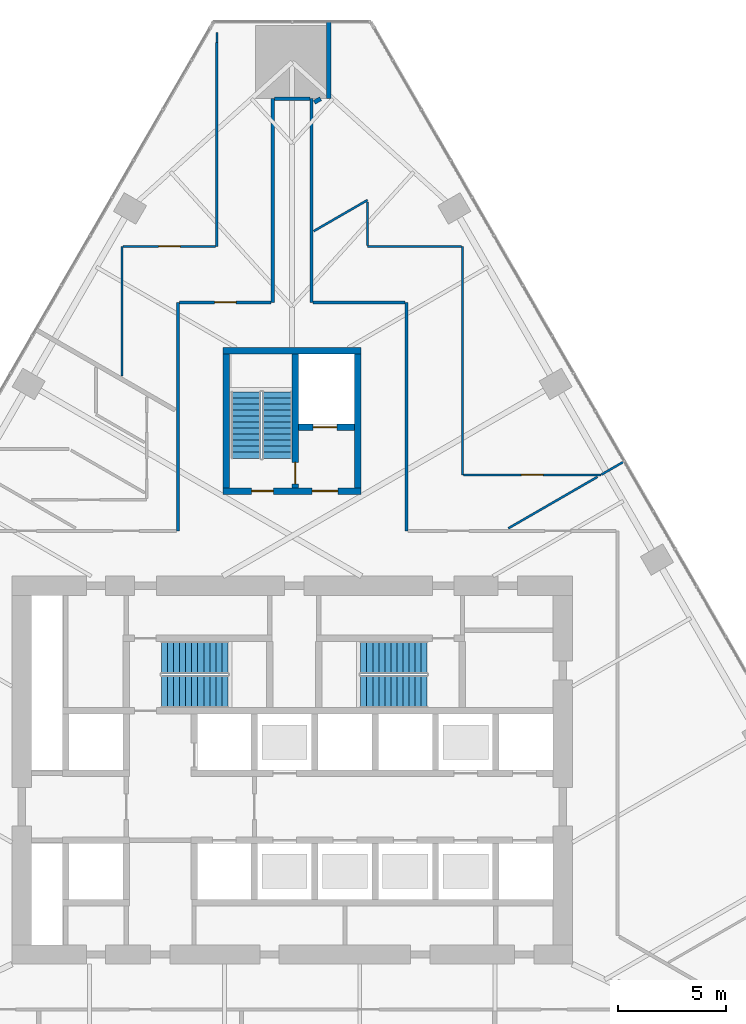
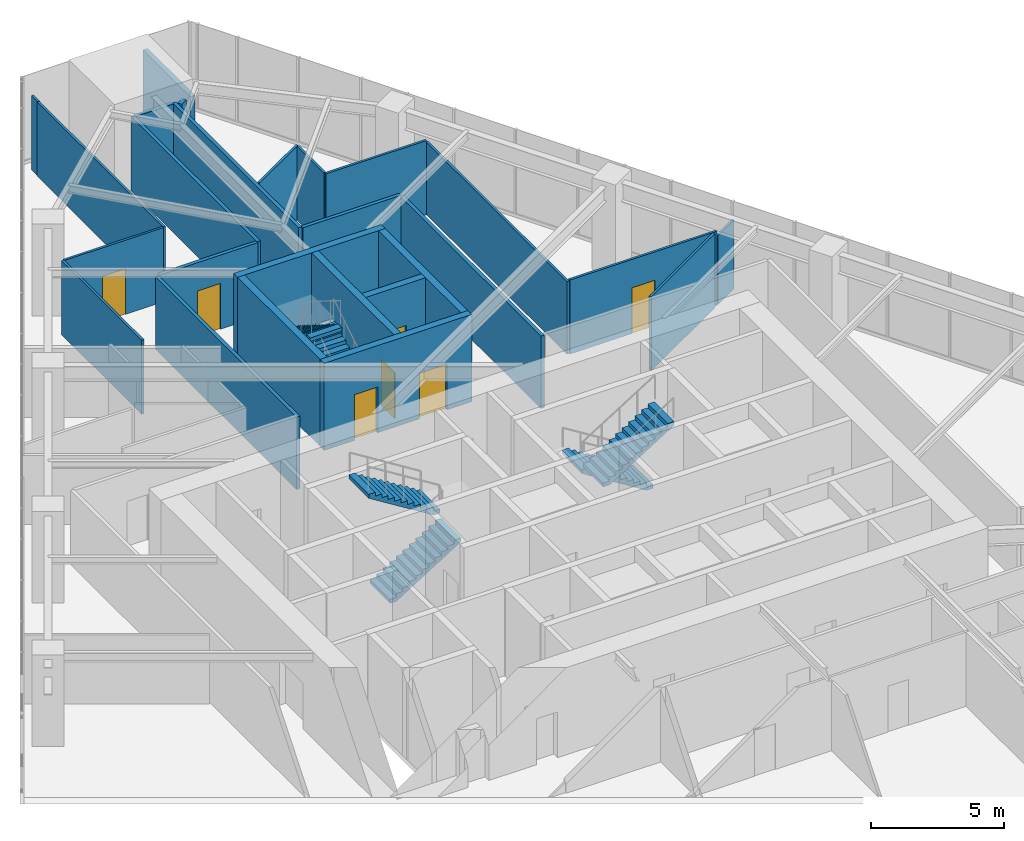
# One storey, part 19 of 21: 26 walls, 7 doors, 6 stair flights, 7 openings, 3 elements without a shape of their own.
"""IFC4 building model written with IfcOpenShell, lengths in metres."""

from ifc_helpers import new_model, si_unit, direction, frame, frame_2d, origin, place, context, subcontext, project, spatial, polyline, rectangle, outline, extrude, material, layer, layer_set, type_object, element, fill, aggregate, save


model = new_model("IFC4")

# Units and contexts
model_context = context("Model", 3, precision=1e-05, world=origin(), true_north=direction((0.0, 1.0)))
body_context = subcontext(model_context, "Body", "Model", "MODEL_VIEW")
ifc_project = project(units=[si_unit("LENGTHUNIT", "METRE"), si_unit("AREAUNIT", "SQUARE_METRE"), si_unit("VOLUMEUNIT", "CUBIC_METRE"), si_unit("PLANEANGLEUNIT", "RADIAN"), si_unit("MASSUNIT", "GRAM", prefix="KILO")], contexts=[model_context])

# Site, building, storey
site_placement = place(None, origin())
site = spatial("IfcSite", under=ifc_project, at=site_placement, CompositionType="ELEMENT")
building_placement = place(site_placement, origin())
building = spatial("IfcBuilding", under=site, at=building_placement, Name="Firuza Gate Tower and Library", CompositionType="ELEMENT")
storey_placement = place(building_placement, frame((0.0, 0.0, 98.800048828125)))
storey = spatial("IfcBuildingStorey", under=building, at=storey_placement, Name="L22", CompositionType="ELEMENT", Elevation=98.800048828125)

# Wall, openings, doors
ifc_material_1 = material(Name="Concrete C80/95", Category="concrete")
ifc_layer_1 = layer(ifc_material_1, 0.300048828125)
ifc_layer_set_1 = layer_set([ifc_layer_1], Name="Core wall 300 C80/95")
wall_type_1 = type_object("IfcWallType", Name="Core wall 300 C80/95", PredefinedType="SHEAR", material=ifc_layer_set_1)
wall_1_placement = place(storey_placement, frame((71.800048828125, 87.949951171875, 0.0), z_axis=(0.0, 0.0, 1.0), x_axis=(1.0, 0.0, 0.0)))
wall_1 = element("IfcWall", 1, at=wall_1_placement, inside=storey, type_object=wall_type_1, Name="Core wall L22 34", PredefinedType="SHEAR", context=body_context, shape_type="SweptSolid", body=[
    extrude(rectangle(XDim=6.39990234375, YDim=0.300048828125, at=frame_2d((3.199951171875, 0.0))), origin(), (0.0, 0.0, 1.0), 4.0),
])
opening_1_placement = place(wall_1_placement, frame((1.324951171875, 0.0, 0.0)))
opening_1 = element("IfcOpeningElement", 2, at=opening_1_placement, cuts=wall_1, Name="Opening L22-K17", PredefinedType="OPENING", context=body_context, shape_type="SweptSolid", body=[
    extrude(rectangle(XDim=1.0, YDim=2.10009765625, at=frame_2d((0.5, 1.050048828125))), frame((0.0, 0.16015625, 0.0), z_axis=(0.0, -1.0, 0.0), x_axis=(1.0, 0.0, 0.0)), (0.0, 0.0, 1.0), 0.320068359375),
])
opening_2_placement = place(wall_1_placement, frame((4.125, 0.0, 0.0)))
opening_2 = element("IfcOpeningElement", 3, at=opening_2_placement, cuts=wall_1, Name="Opening L22-K19", PredefinedType="OPENING", context=body_context, shape_type="SweptSolid", body=[
    extrude(rectangle(XDim=1.199951171875, YDim=2.10009765625, at=frame_2d((0.60009765625, 1.050048828125))), frame((0.0, 0.16015625, 0.0), z_axis=(0.0, -1.0, 0.0), x_axis=(1.0, 0.0, 0.0)), (0.0, 0.0, 1.0), 0.320068359375),
])
ifc_material_2 = material(Name="Steel", Category="steel")
door_type_1 = type_object("IfcDoorType", Name="Fire door 1000x2100 FD90", OperationType="NOTDEFINED", PredefinedType="DOOR", material=ifc_material_2)
door_1_placement = place(opening_1_placement, origin())
door_1 = element("IfcDoor", 4, at=door_1_placement, inside=storey, type_object=door_type_1, Name="Door L22-K17", OperationType="SINGLE_SWING_RIGHT", OverallHeight=2.10009765625, OverallWidth=1.0, PredefinedType="DOOR", context=body_context, shape_type="SweptSolid", body=[
    extrude(rectangle(XDim=1.0, YDim=2.10009765625, at=frame_2d((0.5, 1.050048828125))), frame((0.0, 0.02490234375, 0.0), z_axis=(0.0, -1.0, 0.0), x_axis=(1.0, 0.0, 0.0)), (0.0, 0.0, 1.0), 0.050048828125),
])
fill(opening_1, door_1)
ifc_material_3 = material(Name="Steel", Category="steel")
door_type_2 = type_object("IfcDoorType", Name="Fire door 1200x2100 FD30S", OperationType="NOTDEFINED", PredefinedType="DOOR", material=ifc_material_3)
door_2_placement = place(opening_2_placement, origin())
door_2 = element("IfcDoor", 5, at=door_2_placement, inside=storey, type_object=door_type_2, Name="Door L22-K19", OperationType="SINGLE_SWING_RIGHT", OverallHeight=2.10009765625, OverallWidth=1.199951171875, PredefinedType="DOOR", context=body_context, shape_type="SweptSolid", body=[
    extrude(rectangle(XDim=1.199951171875, YDim=2.10009765625, at=frame_2d((0.60009765625, 1.050048828125))), frame((0.0, 0.02490234375, 0.0), z_axis=(0.0, -1.0, 0.0), x_axis=(1.0, 0.0, 0.0)), (0.0, 0.0, 1.0), 0.050048828125),
])
fill(opening_2, door_2)

# Walls
wall_2_placement = place(storey_placement, frame((71.800048828125, 94.449951171875, 0.0), z_axis=(0.0, 0.0, 1.0), x_axis=(1.0, 0.0, 0.0)))
element("IfcWall", 6, at=wall_2_placement, inside=storey, type_object=wall_type_1, Name="Core wall L22 35", PredefinedType="SHEAR", context=body_context, shape_type="SweptSolid", body=[
    extrude(rectangle(XDim=6.39990234375, YDim=0.300048828125, at=frame_2d((3.199951171875, 0.0))), origin(), (0.0, 0.0, 1.0), 4.0),
])
for number, where, z_axis, x_axis, name in (
    (7, (71.949951171875, 88.10009765625, 0.0), (0.0, 0.0, 1.0), (0.0, 1.0, 0.0), "Core wall L22 36"),
    (8, (78.050048828125, 88.10009765625, 0.0), (0.0, 0.0, 1.0), (0.0, 1.0, 0.0), "Core wall L22 37"),
):
    element("IfcWall", number, at=place(storey_placement, frame(where, z_axis=z_axis, x_axis=x_axis)), inside=storey, type_object=wall_type_1, Name=name, PredefinedType="SHEAR", context=body_context, shape_type="SweptSolid", body=[
        extrude(rectangle(XDim=6.199951171875, YDim=0.300048828125, at=frame_2d((3.10009765625, 0.0))), origin(), (0.0, 0.0, 1.0), 4.0),
    ])

# Wall, opening, door
wall_3_placement = place(storey_placement, frame((75.300048828125, 90.89990234375, 0.0), z_axis=(0.0, 0.0, 1.0), x_axis=(1.0, 0.0, 0.0)))
wall_3 = element("IfcWall", 9, at=wall_3_placement, inside=storey, type_object=wall_type_1, Name="Core wall L22 38", PredefinedType="SHEAR", context=body_context, shape_type="SweptSolid", body=[
    extrude(rectangle(XDim=2.599853515625, YDim=0.300048828125, at=frame_2d((1.2998046875, 0.0))), origin(), (0.0, 0.0, 1.0), 4.0),
])
opening_3_placement = place(wall_3_placement, frame((0.675048828125, 0.0, 0.0)))
opening_3 = element("IfcOpeningElement", 10, at=opening_3_placement, cuts=wall_3, Name="Opening LD-SV1-L22", PredefinedType="OPENING", context=body_context, shape_type="SweptSolid", body=[
    extrude(rectangle(XDim=1.10009765625, YDim=2.10009765625, at=frame_2d((0.550048828125, 1.050048828125))), frame((0.0, 0.16015625, 0.0), z_axis=(0.0, -1.0, 0.0), x_axis=(1.0, 0.0, 0.0)), (0.0, 0.0, 1.0), 0.320068359375),
])
ifc_material_4 = material(Name="Stainless steel", Category="steel")
door_type_3 = type_object("IfcDoorType", Name="Lift landing door 1100x2100", OperationType="DOUBLE_DOOR_SLIDING", PredefinedType="DOOR", material=ifc_material_4)
door_3_placement = place(opening_3_placement, origin())
door_3 = element("IfcDoor", 11, at=door_3_placement, inside=storey, type_object=door_type_3, Name="Landing door SV1 L22", OperationType="DOUBLE_DOOR_SLIDING", OverallHeight=2.10009765625, OverallWidth=1.10009765625, PredefinedType="DOOR", context=body_context, shape_type="SweptSolid", body=[
    extrude(rectangle(XDim=1.10009765625, YDim=2.10009765625, at=frame_2d((0.550048828125, 1.050048828125))), frame((0.0, 0.02490234375, 0.0), z_axis=(0.0, -1.0, 0.0), x_axis=(1.0, 0.0, 0.0)), (0.0, 0.0, 1.0), 0.050048828125),
])
fill(opening_3, door_3)

wall_4_placement = place(storey_placement, frame((75.14990234375, 88.10009765625, 0.0), z_axis=(0.0, 0.0, 1.0), x_axis=(0.0, 1.0, 0.0)))
wall_4 = element("IfcWall", 12, at=wall_4_placement, inside=storey, type_object=wall_type_1, Name="Core wall L22 39", PredefinedType="SHEAR", context=body_context, shape_type="SweptSolid", body=[
    extrude(rectangle(XDim=6.199951171875, YDim=0.300048828125, at=frame_2d((3.10009765625, 0.0))), origin(), (0.0, 0.0, 1.0), 4.0),
])
opening_4_placement = place(wall_4_placement, frame((0.18505859375, 0.0, 0.0)))
opening_4 = element("IfcOpeningElement", 13, at=opening_4_placement, cuts=wall_4, Name="Opening L22-K18", PredefinedType="OPENING", context=body_context, shape_type="SweptSolid", body=[
    extrude(rectangle(XDim=1.0, YDim=2.10009765625, at=frame_2d((0.5, 1.050048828125))), frame((0.0, 0.16015625, 0.0), z_axis=(0.0, -1.0, 0.0), x_axis=(1.0, 0.0, 0.0)), (0.0, 0.0, 1.0), 0.320068359375),
])
door_4_placement = place(opening_4_placement, origin())
door_4 = element("IfcDoor", 14, at=door_4_placement, inside=storey, type_object=door_type_1, Name="Door L22-K18", OperationType="SINGLE_SWING_LEFT", OverallHeight=2.10009765625, OverallWidth=1.0, PredefinedType="DOOR", context=body_context, shape_type="SweptSolid", body=[
    extrude(rectangle(XDim=1.0, YDim=2.10009765625, at=frame_2d((0.5, 1.050048828125))), frame((0.0, 0.02490234375, 0.0), z_axis=(0.0, -1.0, 0.0), x_axis=(1.0, 0.0, 0.0)), (0.0, 0.0, 1.0), 0.050048828125),
])
fill(opening_4, door_4)

ifc_material_5 = material(Name="Gypsum board partition")
ifc_layer_2 = layer(ifc_material_5, 0.14990234375)
ifc_layer_set_2 = layer_set([ifc_layer_2], Name="Corridor wall 150 double board on steel studs")
wall_type_2 = type_object("IfcWallType", Name="Corridor wall 150 double board on steel studs", PredefinedType="PARTITIONING", material=ifc_layer_set_2)
wall_5_placement = place(storey_placement, frame((69.775390625, 96.699951171875, 0.0), z_axis=(0.0, 0.0, 1.0), x_axis=(1.0, 0.0, 0.0)))
wall_5 = element("IfcWall", 15, at=wall_5_placement, inside=storey, type_object=wall_type_2, Name="f:L22:w010", PredefinedType="PARTITIONING", context=body_context, shape_type="SweptSolid", body=[
    extrude(rectangle(XDim=4.24951171875, YDim=0.14990234375, at=frame_2d((2.124755859375, 0.0))), origin(), (0.0, 0.0, 1.0), 3.39990234375),
])
opening_5_placement = place(wall_5_placement, frame((1.624755859375, 0.0, 0.0)))
opening_5 = element("IfcOpeningElement", 16, at=opening_5_placement, cuts=wall_5, Name="Opening L22-18", PredefinedType="OPENING", context=body_context, shape_type="SweptSolid", body=[
    extrude(rectangle(XDim=1.0, YDim=2.10009765625, at=frame_2d((0.5, 1.050048828125))), frame((0.0, 0.0849609375, 0.0), z_axis=(0.0, -1.0, 0.0), x_axis=(1.0, 0.0, 0.0)), (0.0, 0.0, 1.0), 0.169921875),
])
ifc_material_6 = material(Name="Steel door and timber leaf", Category="steel")
door_type_4 = type_object("IfcDoorType", Name="Fire door 1000 x 2100 steel frame, timber leaf", OperationType="NOTDEFINED", PredefinedType="DOOR", material=ifc_material_6)
door_5_placement = place(opening_5_placement, origin())
door_5 = element("IfcDoor", 17, at=door_5_placement, inside=storey, type_object=door_type_4, Name="f:L22:d018", OperationType="SINGLE_SWING_RIGHT", OverallHeight=2.10009765625, OverallWidth=1.0, PredefinedType="DOOR", context=body_context, shape_type="SweptSolid", body=[
    extrude(rectangle(XDim=1.0, YDim=2.10009765625, at=frame_2d((0.5, 1.050048828125))), frame((0.0, 0.02490234375, 0.0), z_axis=(0.0, -1.0, 0.0), x_axis=(1.0, 0.0, 0.0)), (0.0, 0.0, 1.0), 0.050048828125),
])
fill(opening_5, door_5)

# Walls
wall_6_placement = place(storey_placement, frame((75.97509765625, 96.699951171875, 0.0), z_axis=(0.0, 0.0, 1.0), x_axis=(1.0, 0.0, 0.0)))
element("IfcWall", 18, at=wall_6_placement, inside=storey, type_object=wall_type_2, Name="f:L22:w011", PredefinedType="PARTITIONING", context=body_context, shape_type="SweptSolid", body=[
    extrude(rectangle(XDim=4.25, YDim=0.14990234375, at=frame_2d((2.125, 0.0))), origin(), (0.0, 0.0, 1.0), 3.39990234375),
])
wall_7_placement = place(storey_placement, frame((74.175537109375, 106.153076171875, 0.0), z_axis=(0.0, 0.0, 1.0), x_axis=(1.0, 0.0, 0.0)))
element("IfcWall", 19, at=wall_7_placement, inside=storey, type_object=wall_type_2, Name="f:L22:w014", PredefinedType="PARTITIONING", context=body_context, shape_type="SweptSolid", body=[
    extrude(rectangle(XDim=1.64892578125, YDim=0.14990234375, at=frame_2d((0.824462890625, 0.0))), origin(), (0.0, 0.0, 1.0), 3.39697265625),
])
wall_8_placement = place(storey_placement, frame((80.300048828125, 86.10009765625, 0.0), z_axis=(0.0, 0.0, 1.0), x_axis=(0.0, 1.0, 0.0)))
element("IfcWall", 20, at=wall_8_placement, inside=storey, type_object=wall_type_2, Name="f:L22:w033", PredefinedType="PARTITIONING", context=body_context, shape_type="SweptSolid", body=[
    extrude(rectangle(XDim=10.599853515625, YDim=0.14990234375, at=frame_2d((5.2998046875, 0.0))), origin(), (0.0, 0.0, 1.0), 3.322021484375),
])
for number, where, z_axis, x_axis, name in (
    (21, (75.89990234375, 96.699951171875, 0.0), (0.0, 0.0, 1.0), (0.0, 1.0, 0.0), "f:L22:w037"),
    (22, (74.10009765625, 96.699951171875, 0.0), (0.0, 0.0, 1.0), (0.0, 1.0, 0.0), "f:L22:w038"),
):
    element("IfcWall", number, at=place(storey_placement, frame(where, z_axis=z_axis, x_axis=x_axis)), inside=storey, type_object=wall_type_2, Name=name, PredefinedType="PARTITIONING", context=body_context, shape_type="SweptSolid", body=[
        extrude(rectangle(XDim=9.4521484375, YDim=0.14990234375, at=frame_2d((4.72607421875, 0.0))), origin(), (0.0, 0.0, 1.0), 3.39990234375),
    ])
wall_9_placement = place(storey_placement, frame((69.699951171875, 86.10009765625, 0.0), z_axis=(0.0, 0.0, 1.0), x_axis=(0.0, 1.0, 0.0)))
element("IfcWall", 23, at=wall_9_placement, inside=storey, type_object=wall_type_2, Name="f:L22:w042", PredefinedType="PARTITIONING", context=body_context, shape_type="SweptSolid", body=[
    extrude(rectangle(XDim=10.599365234375, YDim=0.14990234375, at=frame_2d((5.2998046875, 0.0))), origin(), (0.0, 0.0, 1.0), 3.322021484375),
])
ifc_material_7 = material(Name="Gypsum board partition")
ifc_layer_3 = layer(ifc_material_7, 0.199951171875)
ifc_layer_set_3 = layer_set([ifc_layer_3], Name="Demising wall 200 acoustic double stud")
wall_type_3 = type_object("IfcWallType", Name="Demising wall 200 acoustic double stud", PredefinedType="PARTITIONING", material=ifc_layer_set_3)
wall_10_placement = place(storey_placement, frame((76.02783203125, 105.984130859375, 0.0), z_axis=(0.0, 0.0, 1.0), x_axis=(0.866137275136, 0.499806183056, 0.0)))
element("IfcWall", 24, at=wall_10_placement, inside=storey, type_object=wall_type_3, Name="f:L22:w023", PredefinedType="PARTITIONING", context=body_context, shape_type="SweptSolid", body=[
    extrude(rectangle(XDim=0.336669921875, YDim=0.199951171875, at=frame_2d((0.16845703125, 0.0))), origin(), (0.0, 0.0, 1.0), 3.39990234375),
])
wall_11_placement = place(storey_placement, frame((76.699951171875, 106.1533203125, 0.0), z_axis=(0.0, 0.0, 1.0), x_axis=(0.0, 1.0, 0.0)))
element("IfcWall", 25, at=wall_11_placement, inside=storey, type_object=wall_type_3, Name="f:L22:w036", PredefinedType="PARTITIONING", context=body_context, shape_type="SweptSolid", body=[
    extrude(rectangle(XDim=3.559326171875, YDim=0.199951171875, at=frame_2d((1.77978515625, 0.0))), origin(), (0.0, 0.0, 1.0), 3.39990234375),
])

# Wall, opening, door
ifc_material_8 = material(Name="Gypsum board partition")
ifc_layer_4 = layer(ifc_material_8, 0.10009765625)
ifc_layer_set_4 = layer_set([ifc_layer_4], Name="Partition 100 gypsum board on steel studs")
wall_type_4 = type_object("IfcWallType", Name="Partition 100 gypsum board on steel studs", PredefinedType="PARTITIONING", material=ifc_layer_set_4)
wall_12_placement = place(storey_placement, frame((82.949951171875, 88.699951171875, 0.0), z_axis=(0.0, 0.0, 1.0), x_axis=(1.0, 0.0, 0.0)))
wall_12 = element("IfcWall", 26, at=wall_12_placement, inside=storey, type_object=wall_type_4, Name="f:L22:w008", PredefinedType="PARTITIONING", context=body_context, shape_type="SweptSolid", body=[
    extrude(rectangle(XDim=6.375732421875, YDim=0.10009765625, at=frame_2d((3.18798828125, 0.0))), origin(), (0.0, 0.0, 1.0), 3.39990234375),
])
opening_6_placement = place(wall_12_placement, frame((2.687744140625, 0.0, 0.0)))
opening_6 = element("IfcOpeningElement", 27, at=opening_6_placement, cuts=wall_12, Name="Opening L22-17", PredefinedType="OPENING", context=body_context, shape_type="SweptSolid", body=[
    extrude(rectangle(XDim=1.0, YDim=2.10009765625, at=frame_2d((0.5, 1.050048828125))), frame((0.0, 0.06005859375, 0.0), z_axis=(0.0, -1.0, 0.0), x_axis=(1.0, 0.0, 0.0)), (0.0, 0.0, 1.0), 0.1201171875),
])
ifc_material_9 = material(Name="Timber door", Category="wood")
door_type_5 = type_object("IfcDoorType", Name="Door 1000 x 2100 timber leaf", OperationType="NOTDEFINED", PredefinedType="DOOR", material=ifc_material_9)
door_6_placement = place(opening_6_placement, origin())
door_6 = element("IfcDoor", 28, at=door_6_placement, inside=storey, type_object=door_type_5, Name="f:L22:d017", OperationType="SINGLE_SWING_LEFT", OverallHeight=2.10009765625, OverallWidth=1.0, PredefinedType="DOOR", context=body_context, shape_type="SweptSolid", body=[
    extrude(rectangle(XDim=1.0, YDim=2.10009765625, at=frame_2d((0.5, 1.050048828125))), frame((0.0, 0.02490234375, 0.0), z_axis=(0.0, -1.0, 0.0), x_axis=(1.0, 0.0, 0.0)), (0.0, 0.0, 1.0), 0.050048828125),
])
fill(opening_6, door_6)

wall_13_placement = place(storey_placement, frame((67.14990234375, 99.300048828125, 0.0), z_axis=(0.0, 0.0, 1.0), x_axis=(1.0, 0.0, 0.0)))
wall_13 = element("IfcWall", 29, at=wall_13_placement, inside=storey, type_object=wall_type_4, Name="f:L22:w012", PredefinedType="PARTITIONING", context=body_context, shape_type="SweptSolid", body=[
    extrude(rectangle(XDim=4.299560546875, YDim=0.10009765625, at=frame_2d((2.14990234375, 0.0))), origin(), (0.0, 0.0, 1.0), 3.39990234375),
])
opening_7_placement = place(wall_13_placement, frame((1.649658203125, 0.0, 0.0)))
opening_7 = element("IfcOpeningElement", 30, at=opening_7_placement, cuts=wall_13, Name="Opening L22-19", PredefinedType="OPENING", context=body_context, shape_type="SweptSolid", body=[
    extrude(rectangle(XDim=1.0, YDim=2.10009765625, at=frame_2d((0.5, 1.050048828125))), frame((0.0, 0.06005859375, 0.0), z_axis=(0.0, -1.0, 0.0), x_axis=(1.0, 0.0, 0.0)), (0.0, 0.0, 1.0), 0.1201171875),
])
door_7_placement = place(opening_7_placement, origin())
door_7 = element("IfcDoor", 31, at=door_7_placement, inside=storey, type_object=door_type_5, Name="f:L22:d019", OperationType="SINGLE_SWING_LEFT", OverallHeight=2.10009765625, OverallWidth=1.0, PredefinedType="DOOR", context=body_context, shape_type="SweptSolid", body=[
    extrude(rectangle(XDim=1.0, YDim=2.10009765625, at=frame_2d((0.5, 1.050048828125))), frame((0.0, 0.02490234375, 0.0), z_axis=(0.0, -1.0, 0.0), x_axis=(1.0, 0.0, 0.0)), (0.0, 0.0, 1.0), 0.050048828125),
])
fill(opening_7, door_7)

# Walls
wall_14_placement = place(storey_placement, frame((78.5, 99.300048828125, 0.0), z_axis=(0.0, 0.0, 1.0), x_axis=(1.0, 0.0, 0.0)))
element("IfcWall", 32, at=wall_14_placement, inside=storey, type_object=wall_type_4, Name="f:L22:w013", PredefinedType="PARTITIONING", context=body_context, shape_type="SweptSolid", body=[
    extrude(rectangle(XDim=4.35009765625, YDim=0.10009765625, at=frame_2d((2.175048828125, 0.0))), origin(), (0.0, 0.0, 1.0), 3.39990234375),
])
wall_15_placement = place(storey_placement, frame((85.030029296875, 86.22021484375, 0.0), z_axis=(0.0, 0.0, 1.0), x_axis=(0.86602800421, 0.499995495904, 0.0)))
element("IfcWall", 33, at=wall_15_placement, inside=storey, type_object=wall_type_4, Name="f:L22:w021", PredefinedType="PARTITIONING", context=body_context, shape_type="SweptSolid", body=[
    extrude(rectangle(XDim=4.77294921875, YDim=0.10009765625, at=frame_2d((2.386474609375, 0.0))), origin(), (0.0, 0.0, 1.0), 3.39990234375),
])
wall_16_placement = place(storey_placement, frame((76.001220703125, 100.008056640625, 0.0), z_axis=(0.0, 0.0, 1.0), x_axis=(0.866016514357, 0.500015396624, 0.0)))
element("IfcWall", 34, at=wall_16_placement, inside=storey, type_object=wall_type_4, Name="f:L22:w022", PredefinedType="PARTITIONING", context=body_context, shape_type="SweptSolid", body=[
    extrude(rectangle(XDim=2.8857421875, YDim=0.10009765625, at=frame_2d((1.44287109375, 0.0))), origin(), (0.0, 0.0, 1.0), 3.39990234375),
])
wall_17_placement = place(storey_placement, frame((82.89990234375, 88.699951171875, 0.0), z_axis=(0.0, 0.0, 1.0), x_axis=(0.0, 1.0, 0.0)))
element("IfcWall", 35, at=wall_17_placement, inside=storey, type_object=wall_type_4, Name="f:L22:w032", PredefinedType="PARTITIONING", context=body_context, shape_type="SweptSolid", body=[
    extrude(rectangle(XDim=10.60009765625, YDim=0.10009765625, at=frame_2d((5.300048828125, 0.0))), origin(), (0.0, 0.0, 1.0), 3.322021484375),
])
wall_18_placement = place(storey_placement, frame((78.5, 99.35009765625, 0.0), z_axis=(0.0, 0.0, 1.0), x_axis=(0.0, 1.0, 0.0)))
element("IfcWall", 36, at=wall_18_placement, inside=storey, type_object=wall_type_4, Name="f:L22:w035", PredefinedType="PARTITIONING", context=body_context, shape_type="SweptSolid", body=[
    extrude(rectangle(XDim=2.013671875, YDim=0.10009765625, at=frame_2d((1.0068359375, 0.0))), origin(), (0.0, 0.0, 1.0), 3.39990234375),
])
wall_19_placement = place(storey_placement, frame((71.51904296875, 108.753173828125, 0.0), z_axis=(0.0, 0.0, 1.0), x_axis=(0.0, 1.0, 0.0)))
element("IfcWall", 37, at=wall_19_placement, inside=storey, type_object=wall_type_4, Name="f:L22:w040", PredefinedType="PARTITIONING", context=body_context, shape_type="SweptSolid", body=[
    extrude(rectangle(XDim=0.47265625, YDim=0.10009765625, at=frame_2d((0.236328125, 0.0))), origin(), (0.0, 0.0, 1.0), 3.39990234375),
])
wall_20_placement = place(storey_placement, frame((71.5, 99.300537109375, 0.0), z_axis=(0.0, 0.0, 1.0), x_axis=(0.0, 1.0, 0.0)))
element("IfcWall", 38, at=wall_20_placement, inside=storey, type_object=wall_type_4, Name="f:L22:w041", PredefinedType="PARTITIONING", context=body_context, shape_type="SweptSolid", body=[
    extrude(rectangle(XDim=9.4521484375, YDim=0.10009765625, at=frame_2d((4.72607421875, 0.0))), origin(), (0.0, 0.0, 1.0), 3.39990234375),
])
wall_21_placement = place(storey_placement, frame((67.10009765625, 93.279052734375, 0.0), z_axis=(0.0, 0.0, 1.0), x_axis=(0.0, 1.0, 0.0)))
element("IfcWall", 39, at=wall_21_placement, inside=storey, type_object=wall_type_4, Name="f:L22:w044", PredefinedType="PARTITIONING", context=body_context, shape_type="SweptSolid", body=[
    extrude(rectangle(XDim=6.02099609375, YDim=0.10009765625, at=frame_2d((3.010498046875, 0.0))), origin(), (0.0, 0.0, 1.0), 3.39990234375),
])
wall_22_placement = place(storey_placement, frame((89.34716796875, 88.712890625, 0.0), z_axis=(0.0, 0.0, 1.0), x_axis=(0.866109108303, 0.499854991488, 0.0)))
element("IfcWall", 40, at=wall_22_placement, inside=storey, type_object=wall_type_4, Name="f:L22:w060", PredefinedType="PARTITIONING", context=body_context, shape_type="SweptSolid", body=[
    extrude(rectangle(XDim=1.222412109375, YDim=0.10009765625, at=frame_2d((0.611328125, 0.0))), origin(), (0.0, 0.0, 1.0), 3.1650390625),
])

# Stair, stair flights
ifc_material_10 = material(Name="Concrete C35/45", Category="concrete")
stair_type_1 = type_object("IfcStairType", Name="Exit stair ST14", PredefinedType="HALF_TURN_STAIR", material=ifc_material_10)
placement = place(storey_placement, origin())
stair_1 = element("IfcStair", 41, at=placement, inside=storey, type_object=stair_type_1, Name="L22 Stair ST3", PredefinedType="HALF_TURN_STAIR")
ifc_material_11 = material(Name="Concrete C35/45", Category="concrete")
stair_flight_type_1 = type_object("IfcStairFlightType", Name="Stair flight 12 risers 175 width 1370", PredefinedType="STRAIGHT", material=ifc_material_11)
stair_flight_1_placement = place(storey_placement, frame((74.31494140625, 89.469970703125, 0.0), z_axis=(0.0, 0.0, 1.0), x_axis=(0.0, 1.0, 0.0)))
stair_flight_1 = element("IfcStairFlight", 42, at=stair_flight_1_placement, type_object=stair_flight_type_1, Name="ST3 flight 1", NumberOfRisers=12, NumberOfTreads=11, PredefinedType="STRAIGHT", RiserHeight=0.175, TreadLength=0.28, context=body_context, shape_type="SweptSolid", body=[
    extrude(outline(polyline([(0.0, 0.0), (0.0, 0.175048828125), (0.280029296875, 0.175048828125), (0.280029296875, 0.35009765625), (0.56005859375, 0.35009765625), (0.56005859375, 0.52490234375), (0.840087890625, 0.52490234375), (0.840087890625, 0.699951171875), (1.1201171875, 0.699951171875), (1.1201171875, 0.875), (1.39990234375, 0.875), (1.39990234375, 1.050048828125), (1.679931640625, 1.050048828125), (1.679931640625, 1.22509765625), (1.9599609375, 1.22509765625), (1.9599609375, 1.39990234375), (2.239990234375, 1.39990234375), (2.239990234375, 1.574951171875), (2.52001953125, 1.574951171875), (2.52001953125, 1.75), (2.800048828125, 1.75), (2.800048828125, 1.925048828125), (3.080078125, 1.925048828125), (3.080078125, 2.10009765625), (3.080078125, 1.748291015625), (0.28271484375, 0.0), (0.0, 0.0)])), frame((0.0, 0.68505859375, 0.0), z_axis=(0.0, -1.0, 0.0), x_axis=(1.0, 0.0, 0.0)), (0.0, 0.0, 1.0), 1.3701171875),
])
stair_flight_2_placement = place(storey_placement, frame((72.844970703125, 92.550048828125, 2.099853515625), z_axis=(0.0, 0.0, 1.0), x_axis=(0.0, -1.0, 0.0)))
stair_flight_2 = element("IfcStairFlight", 43, at=stair_flight_2_placement, type_object=stair_flight_type_1, Name="ST3 flight 2", NumberOfRisers=12, NumberOfTreads=11, PredefinedType="STRAIGHT", RiserHeight=0.175, TreadLength=0.28, context=body_context, shape_type="SweptSolid", body=[
    extrude(outline(polyline([(0.0, 0.0), (0.0, 0.175048828125), (0.280029296875, 0.175048828125), (0.280029296875, 0.35009765625), (0.56005859375, 0.35009765625), (0.56005859375, 0.52490234375), (0.840087890625, 0.52490234375), (0.840087890625, 0.699951171875), (1.1201171875, 0.699951171875), (1.1201171875, 0.875), (1.39990234375, 0.875), (1.39990234375, 1.050048828125), (1.679931640625, 1.050048828125), (1.679931640625, 1.22509765625), (1.9599609375, 1.22509765625), (1.9599609375, 1.39990234375), (2.239990234375, 1.39990234375), (2.239990234375, 1.574951171875), (2.52001953125, 1.574951171875), (2.52001953125, 1.75), (2.800048828125, 1.75), (2.800048828125, 1.925048828125), (3.080078125, 1.925048828125), (3.080078125, 2.10009765625), (3.080078125, 1.748291015625), (0.28271484375, 0.0), (0.0, 0.0)])), frame((0.0, 0.68505859375, 0.0), z_axis=(0.0, -1.0, 0.0), x_axis=(1.0, 0.0, 0.0)), (0.0, 0.0, 1.0), 1.3701171875),
])
aggregate(stair_1, [stair_flight_1, stair_flight_2])

ifc_material_12 = material(Name="Concrete C35/45", Category="concrete")
stair_type_2 = type_object("IfcStairType", Name="Exit stair ST5", PredefinedType="HALF_TURN_STAIR", material=ifc_material_12)
stair_2 = element("IfcStair", 44, at=placement, inside=storey, type_object=stair_type_2, Name="L22 Stair ST1", PredefinedType="HALF_TURN_STAIR")
ifc_material_13 = material(Name="Concrete C35/45", Category="concrete")
stair_flight_type_2 = type_object("IfcStairFlightType", Name="Stair flight 12 risers 175 width 1490", PredefinedType="STRAIGHT", material=ifc_material_13)
stair_flight_3_placement = place(storey_placement, frame((68.93994140625, 78.64501953125, 0.0), z_axis=(0.0, 0.0, 1.0), x_axis=(1.0, 0.0, 0.0)))
stair_flight_3 = element("IfcStairFlight", 45, at=stair_flight_3_placement, type_object=stair_flight_type_2, Name="ST1 flight 1", NumberOfRisers=12, NumberOfTreads=11, PredefinedType="STRAIGHT", RiserHeight=0.175, TreadLength=0.28, context=body_context, shape_type="SweptSolid", body=[
    extrude(outline(polyline([(0.0, 0.0), (0.0, 0.175048828125), (0.280029296875, 0.175048828125), (0.280029296875, 0.35009765625), (0.56005859375, 0.35009765625), (0.56005859375, 0.52490234375), (0.840087890625, 0.52490234375), (0.840087890625, 0.699951171875), (1.1201171875, 0.699951171875), (1.1201171875, 0.875), (1.39990234375, 0.875), (1.39990234375, 1.050048828125), (1.679931640625, 1.050048828125), (1.679931640625, 1.22509765625), (1.9599609375, 1.22509765625), (1.9599609375, 1.39990234375), (2.239990234375, 1.39990234375), (2.239990234375, 1.574951171875), (2.52001953125, 1.574951171875), (2.52001953125, 1.75), (2.800048828125, 1.75), (2.800048828125, 1.925048828125), (3.080078125, 1.925048828125), (3.080078125, 2.10009765625), (3.080078125, 1.748291015625), (0.28271484375, 0.0), (0.0, 0.0)])), frame((0.0, 0.7451171875, 0.0), z_axis=(0.0, -1.0, 0.0), x_axis=(1.0, 0.0, 0.0)), (0.0, 0.0, 1.0), 1.489990234375),
])
stair_flight_4_placement = place(storey_placement, frame((72.02001953125, 80.235107421875, 2.099853515625), z_axis=(0.0, 0.0, 1.0), x_axis=(-1.0, 0.0, 0.0)))
stair_flight_4 = element("IfcStairFlight", 46, at=stair_flight_4_placement, type_object=stair_flight_type_2, Name="ST1 flight 2", NumberOfRisers=12, NumberOfTreads=11, PredefinedType="STRAIGHT", RiserHeight=0.175, TreadLength=0.28, context=body_context, shape_type="SweptSolid", body=[
    extrude(outline(polyline([(0.0, 0.0), (0.0, 0.175048828125), (0.280029296875, 0.175048828125), (0.280029296875, 0.35009765625), (0.56005859375, 0.35009765625), (0.56005859375, 0.52490234375), (0.840087890625, 0.52490234375), (0.840087890625, 0.699951171875), (1.1201171875, 0.699951171875), (1.1201171875, 0.875), (1.39990234375, 0.875), (1.39990234375, 1.050048828125), (1.679931640625, 1.050048828125), (1.679931640625, 1.22509765625), (1.9599609375, 1.22509765625), (1.9599609375, 1.39990234375), (2.239990234375, 1.39990234375), (2.239990234375, 1.574951171875), (2.52001953125, 1.574951171875), (2.52001953125, 1.75), (2.800048828125, 1.75), (2.800048828125, 1.925048828125), (3.080078125, 1.925048828125), (3.080078125, 2.10009765625), (3.080078125, 1.748291015625), (0.28271484375, 0.0), (0.0, 0.0)])), frame((0.0, 0.7451171875, 0.0), z_axis=(0.0, -1.0, 0.0), x_axis=(1.0, 0.0, 0.0)), (0.0, 0.0, 1.0), 1.489990234375),
])
aggregate(stair_2, [stair_flight_3, stair_flight_4])

stair_3 = element("IfcStair", 47, at=placement, inside=storey, type_object=stair_type_2, Name="L22 Stair ST2", PredefinedType="HALF_TURN_STAIR")
stair_flight_5_placement = place(storey_placement, frame((81.260009765625, 80.235107421875, 0.0), z_axis=(0.0, 0.0, 1.0), x_axis=(-1.0, 0.0, 0.0)))
stair_flight_5 = element("IfcStairFlight", 48, at=stair_flight_5_placement, type_object=stair_flight_type_2, Name="ST2 flight 1", NumberOfRisers=12, NumberOfTreads=11, PredefinedType="STRAIGHT", RiserHeight=0.175, TreadLength=0.28, context=body_context, shape_type="SweptSolid", body=[
    extrude(outline(polyline([(0.0, 0.0), (0.0, 0.175048828125), (0.280029296875, 0.175048828125), (0.280029296875, 0.35009765625), (0.56005859375, 0.35009765625), (0.56005859375, 0.52490234375), (0.840087890625, 0.52490234375), (0.840087890625, 0.699951171875), (1.1201171875, 0.699951171875), (1.1201171875, 0.875), (1.39990234375, 0.875), (1.39990234375, 1.050048828125), (1.679931640625, 1.050048828125), (1.679931640625, 1.22509765625), (1.9599609375, 1.22509765625), (1.9599609375, 1.39990234375), (2.239990234375, 1.39990234375), (2.239990234375, 1.574951171875), (2.52001953125, 1.574951171875), (2.52001953125, 1.75), (2.800048828125, 1.75), (2.800048828125, 1.925048828125), (3.080078125, 1.925048828125), (3.080078125, 2.10009765625), (3.080078125, 1.748291015625), (0.28271484375, 0.0), (0.0, 0.0)])), frame((0.0, 0.7451171875, 0.0), z_axis=(0.0, -1.0, 0.0), x_axis=(1.0, 0.0, 0.0)), (0.0, 0.0, 1.0), 1.489990234375),
])
stair_flight_6_placement = place(storey_placement, frame((78.179931640625, 78.64501953125, 2.099853515625), z_axis=(0.0, 0.0, 1.0), x_axis=(1.0, 0.0, 0.0)))
stair_flight_6 = element("IfcStairFlight", 49, at=stair_flight_6_placement, type_object=stair_flight_type_2, Name="ST2 flight 2", NumberOfRisers=12, NumberOfTreads=11, PredefinedType="STRAIGHT", RiserHeight=0.175, TreadLength=0.28, context=body_context, shape_type="SweptSolid", body=[
    extrude(outline(polyline([(0.0, 0.0), (0.0, 0.175048828125), (0.280029296875, 0.175048828125), (0.280029296875, 0.35009765625), (0.56005859375, 0.35009765625), (0.56005859375, 0.52490234375), (0.840087890625, 0.52490234375), (0.840087890625, 0.699951171875), (1.1201171875, 0.699951171875), (1.1201171875, 0.875), (1.39990234375, 0.875), (1.39990234375, 1.050048828125), (1.679931640625, 1.050048828125), (1.679931640625, 1.22509765625), (1.9599609375, 1.22509765625), (1.9599609375, 1.39990234375), (2.239990234375, 1.39990234375), (2.239990234375, 1.574951171875), (2.52001953125, 1.574951171875), (2.52001953125, 1.75), (2.800048828125, 1.75), (2.800048828125, 1.925048828125), (3.080078125, 1.925048828125), (3.080078125, 2.10009765625), (3.080078125, 1.748291015625), (0.28271484375, 0.0), (0.0, 0.0)])), frame((0.0, 0.7451171875, 0.0), z_axis=(0.0, -1.0, 0.0), x_axis=(1.0, 0.0, 0.0)), (0.0, 0.0, 1.0), 1.489990234375),
])
aggregate(stair_3, [stair_flight_5, stair_flight_6])

save(model, "model.ifc")
